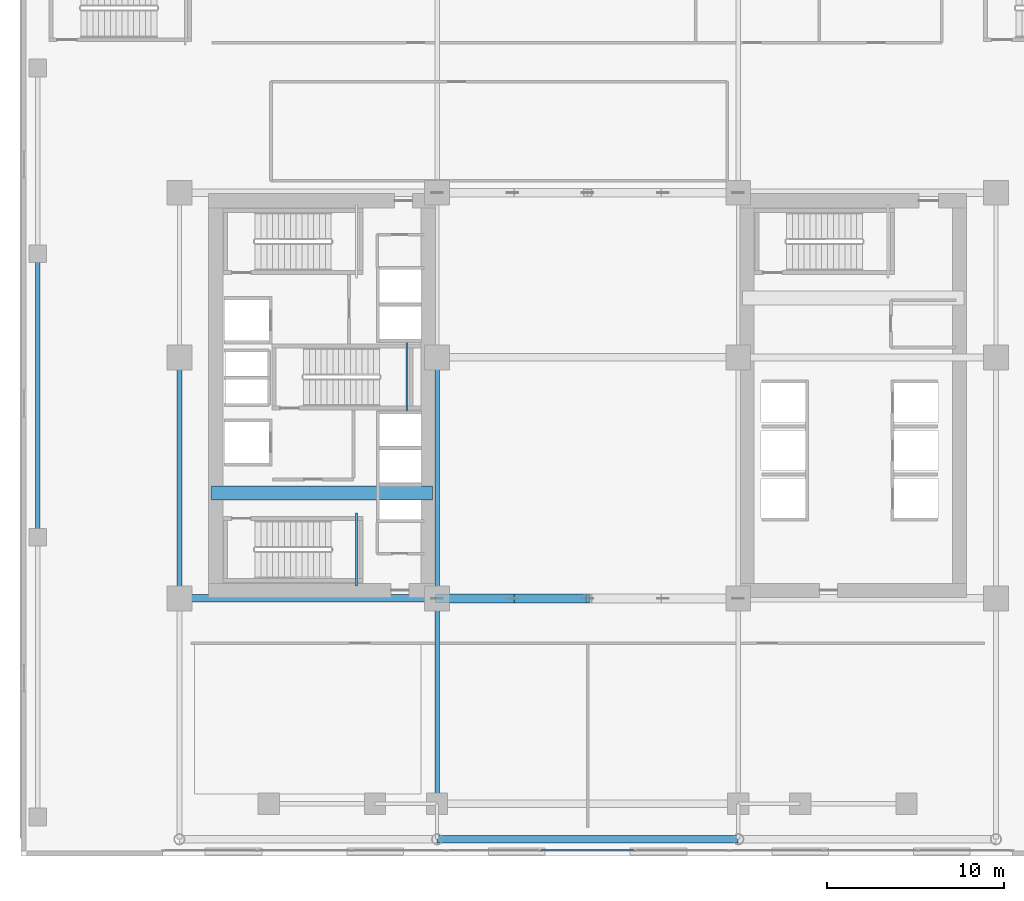
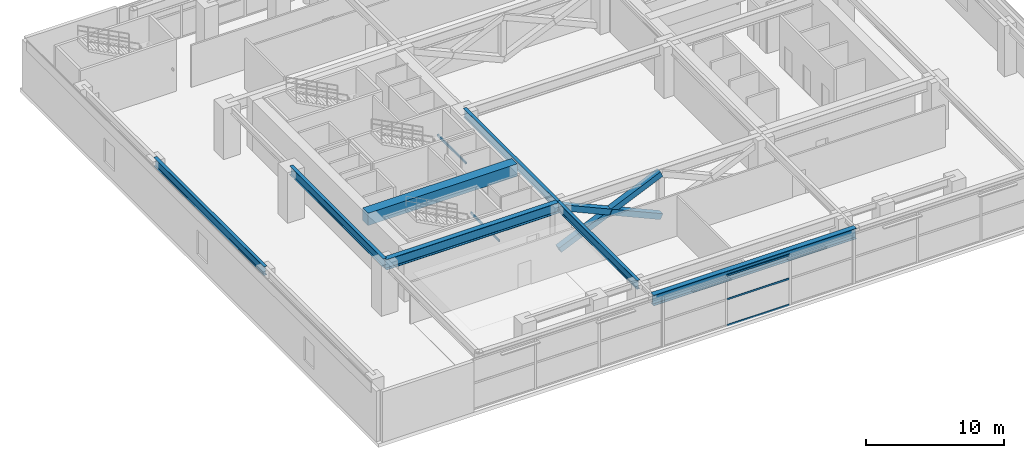
# One storey, part 6 of 28: 9 beams, 6 members, 1 element without a shape of its own.
"""IFC4 building model written with IfcOpenShell, lengths in metres."""

from ifc_helpers import new_model, si_unit, direction, frame, origin, origin_2d, place, context, subcontext, project, spatial, rectangle, hollow_rectangle, i_section, extrude, source, transform, mapped, material, layer, layer_set, material_profile, profile_set, type_object, element, aggregate, save


model = new_model("IFC4")

# Units and contexts
model_context = context("Model", 3, precision=1e-05, world=origin(), true_north=direction((0.0, 1.0)))
body_context = subcontext(model_context, "Body", "Model", "MODEL_VIEW")
ifc_project = project(units=[si_unit("LENGTHUNIT", "METRE"), si_unit("AREAUNIT", "SQUARE_METRE"), si_unit("VOLUMEUNIT", "CUBIC_METRE"), si_unit("PLANEANGLEUNIT", "RADIAN"), si_unit("MASSUNIT", "GRAM", prefix="KILO")], contexts=[model_context])

# Site, building, storey
site_placement = place(None, origin())
site = spatial("IfcSite", under=ifc_project, at=site_placement, CompositionType="ELEMENT")
building_placement = place(site_placement, origin())
building = spatial("IfcBuilding", under=site, at=building_placement, Name="Ocotamira Hotel", CompositionType="ELEMENT")
storey_placement = place(building_placement, frame((0.0, 0.0, 24.0)))
storey = spatial("IfcBuildingStorey", under=building, at=storey_placement, Name="L05", CompositionType="ELEMENT", Elevation=24.0)

# Beams
ifc_material_1 = material(Name="Concrete C60/75", Category="concrete")
ifc_material_profile_1 = material_profile(ifc_material_1, rectangle(XDim=0.800048828125, YDim=1.10009765625, at=origin_2d()), Name="RC800X1100")
ifc_profile_set_1 = profile_set([ifc_material_profile_1], Name="Concrete C60/75")
beam_type_1 = type_object("IfcBeamType", Name="BM-LINK-RC800", PredefinedType="LINTEL", material=ifc_profile_set_1)
shared_shape_1 = source(origin(), body_context, "Body", "SweptSolid", [
    extrude(rectangle(XDim=0.800048828125, YDim=1.10009765625, at=origin_2d()), origin(), (0.0, 0.0, 1.0), 12.5),
])
beam_1_placement = place(storey_placement, frame((10.75, 20.5, 3.929931640625), z_axis=(1.0, 0.0, 0.0), x_axis=(0.0, 1.0, 0.0)))
element("IfcBeam", 1, at=beam_1_placement, inside=storey, type_object=beam_type_1, Name="L05 West Core Coupling Beam", PredefinedType="LINTEL", context=body_context, shape_type="MappedRepresentation", body=[
    mapped(shared_shape_1, transform((0.0, 0.0, 0.0), scale=1.0)),
])
ifc_material_2 = material(Name="Steel ASTM A500 Grade C", Category="steel")
ifc_material_profile_2 = material_profile(ifc_material_2, hollow_rectangle(XDim=0.10009765625, YDim=0.199951171875, WallThickness=0.008056640625, at=origin_2d()), Name="HSS200X100X8")
ifc_profile_set_2 = profile_set([ifc_material_profile_2], Name="Steel ASTM A500 Grade C")
beam_type_2 = type_object("IfcBeamType", Name="BM-STLDG-HSS200", PredefinedType="BEAM", material=ifc_profile_set_2)
shared_shape_2 = source(origin(), body_context, "Body", "SweptSolid", [
    extrude(hollow_rectangle(XDim=0.10009765625, YDim=0.199951171875, WallThickness=0.008056640625, at=origin_2d()), origin(), (0.0, 0.0, 1.0), 4.1201171875),
])
for number, where, z_axis, x_axis, name in (
    (2, (18.949951171875, 15.25, 2.10009765625), (0.0, 1.0, 0.0), (-1.0, 0.0, 0.0), "L05 Stair ST-1 Landing Bearer 1"),
    (3, (21.780029296875, 24.97998046875, 2.10009765625), (0.0, 1.0, 0.0), (-1.0, 0.0, 0.0), "L05 Stair ST-3 Landing Bearer 1"),
):
    element("IfcBeam", number, at=place(storey_placement, frame(where, z_axis=z_axis, x_axis=x_axis)), inside=storey, type_object=beam_type_2, Name=name, PredefinedType="BEAM", context=body_context, shape_type="MappedRepresentation", body=[
        mapped(shared_shape_2, transform((0.0, 0.0, 0.0), scale=1.0)),
    ])
ifc_material_3 = material(Name="Steel ASTM A992 Grade 50", Category="steel")
ifc_material_profile_3 = material_profile(ifc_material_3, i_section(OverallWidth=0.41796875, OverallDepth=0.927001953125, WebThickness=0.019287109375, FlangeThickness=0.031982421875, FilletRadius=0.02392578125, at=origin_2d()), Name="W36X231")
ifc_profile_set_3 = profile_set([ifc_material_profile_3], Name="Steel ASTM A992 Grade 50")
beam_type_3 = type_object("IfcBeamType", Name="BM-GIRD-W36X231", PredefinedType="BEAM", material=ifc_profile_set_3)
shared_shape_3 = source(origin(), body_context, "Body", "SweptSolid", [
    extrude(i_section(OverallWidth=0.41796875, OverallDepth=0.927001953125, WebThickness=0.019287109375, FlangeThickness=0.031982421875, FilletRadius=0.02392578125, at=origin_2d()), origin(), (0.0, 0.0, 1.0), 14.550048828125),
])
beam_2_placement = place(storey_placement, frame((8.949951171875, 14.550048828125, 4.0166015625), z_axis=(1.0, 0.0, 0.0), x_axis=(0.0, 1.0, 0.0)))
element("IfcBeam", 4, at=beam_2_placement, inside=storey, type_object=beam_type_3, Name="L05 Girder Y14.55 X8.95-23.5", PredefinedType="BEAM", context=body_context, shape_type="MappedRepresentation", body=[
    mapped(shared_shape_3, transform((0.0, 0.0, 0.0), scale=1.0)),
])
ifc_material_profile_4 = material_profile(ifc_material_3, i_section(OverallWidth=0.26611328125, OverallDepth=0.779052734375, WebThickness=0.0166015625, FlangeThickness=0.030029296875, FilletRadius=0.01806640625, at=origin_2d()), Name="W30X148")
ifc_profile_set_4 = profile_set([ifc_material_profile_4], Name="Steel ASTM A992 Grade 50")
beam_type_4 = type_object("IfcBeamType", Name="BM-GIRD-W30X148", PredefinedType="BEAM", material=ifc_profile_set_4)
shared_shape_4 = source(origin(), body_context, "Body", "SweptSolid", [
    extrude(i_section(OverallWidth=0.26611328125, OverallDepth=0.779052734375, WebThickness=0.0166015625, FlangeThickness=0.030029296875, FilletRadius=0.01806640625, at=origin_2d()), origin(), (0.0, 0.0, 1.0), 16.0),
])
beam_3_placement = place(storey_placement, frame((0.949951171875, 18.0, 4.090576171875), z_axis=(0.0, 1.0, 0.0), x_axis=(-1.0, 0.0, 0.0)))
element("IfcBeam", 5, at=beam_3_placement, inside=storey, type_object=beam_type_4, Name="L05 Beam X0.95 Y18-34", PredefinedType="BEAM", context=body_context, shape_type="MappedRepresentation", body=[
    mapped(shared_shape_4, transform((0.0, 0.0, 0.0), scale=1.0)),
])
shared_shape_5 = source(origin(), body_context, "Body", "SweptSolid", [
    extrude(i_section(OverallWidth=0.26611328125, OverallDepth=0.779052734375, WebThickness=0.0166015625, FlangeThickness=0.030029296875, FilletRadius=0.01806640625, at=origin_2d()), origin(), (0.0, 0.0, 1.0), 13.599853515625),
])
for number, where, z_axis, x_axis, name in (
    (6, (8.949951171875, 14.550048828125, 4.090576171875), (0.0, 1.0, 0.0), (-1.0, 0.0, 0.0), "L05 Beam X8.95 Y14.55-28.15"),
    (7, (23.5, 14.550048828125, 4.090576171875), (0.0, 1.0, 0.0), (-1.0, 0.0, 0.0), "L05 Beam X23.5 Y14.55-28.15"),
):
    element("IfcBeam", number, at=place(storey_placement, frame(where, z_axis=z_axis, x_axis=x_axis)), inside=storey, type_object=beam_type_4, Name=name, PredefinedType="BEAM", context=body_context, shape_type="MappedRepresentation", body=[
        mapped(shared_shape_5, transform((0.0, 0.0, 0.0), scale=1.0)),
    ])
shared_shape_6 = source(origin(), body_context, "Body", "SweptSolid", [
    extrude(i_section(OverallWidth=0.26611328125, OverallDepth=0.779052734375, WebThickness=0.0166015625, FlangeThickness=0.030029296875, FilletRadius=0.01806640625, at=origin_2d()), origin(), (0.0, 0.0, 1.0), 11.60009765625),
])
beam_4_placement = place(storey_placement, frame((23.5, 2.949951171875, 4.090576171875), z_axis=(0.0, 1.0, 0.0), x_axis=(-1.0, 0.0, 0.0)))
element("IfcBeam", 8, at=beam_4_placement, inside=storey, type_object=beam_type_4, Name="L05 Beam X23.5 Y2.95-14.55", PredefinedType="BEAM", context=body_context, shape_type="MappedRepresentation", body=[
    mapped(shared_shape_6, transform((0.0, 0.0, 0.0), scale=1.0)),
])
ifc_material_4 = material(Name="Steel ASTM A913 Grade 65", Category="steel")
ifc_material_profile_5 = material_profile(ifc_material_4, i_section(OverallWidth=0.423095703125, OverallDepth=0.947998046875, WebThickness=0.02392578125, FlangeThickness=0.042724609375, FilletRadius=0.02392578125, at=origin_2d()), Name="W36X302")
ifc_profile_set_5 = profile_set([ifc_material_profile_5], Name="Steel ASTM A913 Grade 65")
beam_type_5 = type_object("IfcBeamType", Name="BM-TRUSS-W36X302", PredefinedType="BEAM", material=ifc_profile_set_5)
shared_shape_7 = source(origin(), body_context, "Body", "SweptSolid", [
    extrude(i_section(OverallWidth=0.423095703125, OverallDepth=0.947998046875, WebThickness=0.02392578125, FlangeThickness=0.042724609375, FilletRadius=0.02392578125, at=origin_2d()), origin(), (0.0, 0.0, 1.0), 17.0),
])
beam_5_placement = place(storey_placement, frame((23.5, 0.949951171875, 4.006103515625), z_axis=(1.0, 0.0, 0.0), x_axis=(0.0, 1.0, 0.0)))
element("IfcBeam", 9, at=beam_5_placement, inside=storey, type_object=beam_type_5, Name="L05 Girder Y0.95 X23.5-40.5", PredefinedType="BEAM", context=body_context, shape_type="MappedRepresentation", body=[
    mapped(shared_shape_7, transform((0.0, 0.0, 0.0), scale=1.0)),
])

# Members
ifc_material_profile_6 = material_profile(ifc_material_4, hollow_rectangle(XDim=0.5, YDim=0.5, WallThickness=0.02001953125, at=origin_2d()), Name="HSS500X500X20")
ifc_profile_set_6 = profile_set([ifc_material_profile_6], Name="Steel ASTM A913 Grade 65")
member_type_1 = type_object("IfcMemberType", Name="MEM-OUT-HSS500", PredefinedType="BRACE", material=ifc_profile_set_6)
shared_shape_8 = source(origin(), body_context, "Body", "SweptSolid", [
    extrude(hollow_rectangle(XDim=0.5, YDim=0.5, WallThickness=0.02001953125, at=origin_2d()), origin(), (0.0, 0.0, 1.0), 9.302734375),
])
member_1_placement = place(storey_placement, frame((23.5, 14.550048828125, 0.25), z_axis=(0.913721700404, 0.0, 0.40634056432), x_axis=(0.0, 1.0, 0.0)))
element("IfcMember", 10, at=member_1_placement, inside=storey, type_object=member_type_1, Name="L05 Portal Transfer Truss Diagonal Y14.55-1", PredefinedType="BRACE", context=body_context, shape_type="MappedRepresentation", body=[
    mapped(shared_shape_8, transform((0.0, 0.0, 0.0), scale=1.0)),
])
shared_shape_9 = source(origin(), body_context, "Body", "SweptSolid", [
    extrude(hollow_rectangle(XDim=0.5, YDim=0.5, WallThickness=0.02001953125, at=origin_2d()), origin(), (0.0, 0.0, 1.0), 4.63134765625),
])
for number, where, z_axis, x_axis, name in (
    (11, (23.5, 14.550048828125, 4.030029296875), (0.913724573626, 0.0, -0.406334103358), (0.0, 1.0, 0.0), "L05 Portal Transfer Truss Diagonal Y14.55-3 Lower Half"),
    (12, (27.768310546875, 14.550048828125, 2.1318359375), (0.913724573626, 0.0, -0.406334103358), (0.0, 1.0, 0.0), "L05 Portal Transfer Truss Diagonal Y14.55-3 Upper Half"),
):
    element("IfcMember", number, at=place(storey_placement, frame(where, z_axis=z_axis, x_axis=x_axis)), inside=storey, type_object=member_type_1, Name=name, PredefinedType="BRACE", context=body_context, shape_type="MappedRepresentation", body=[
        mapped(shared_shape_9, transform((0.0, 0.0, 0.0), scale=1.0)),
    ])

# Curtain wall, members
ifc_material_5 = material(Name="Anodised pale-metal aluminium and solar glass", Category="aluminium")
ifc_layer = layer(ifc_material_5, 0.219970703125)
ifc_layer_set = layer_set([ifc_layer], Name="Anodised pale-metal aluminium and solar glass")
curtain_wall_type = type_object("IfcCurtainWallType", Name="CW-SYS1-POD", PredefinedType="NOTDEFINED", material=ifc_layer_set)
curtain_wall_placement = place(storey_placement, origin())
curtain_wall = element("IfcCurtainWall", 13, at=curtain_wall_placement, inside=storey, type_object=curtain_wall_type, Name="L05 Curtain Wall CW-1 CW-L05-S2", PredefinedType="NOTDEFINED")
ifc_material_6 = material(Name="Anodised pale-metal aluminium 6063-T6", Category="aluminium")
ifc_material_profile_7 = material_profile(ifc_material_6, hollow_rectangle(XDim=0.074951171875, YDim=0.14990234375, WallThickness=0.006103515625, at=origin_2d()), Name="HSS150X75X6")
ifc_profile_set_7 = profile_set([ifc_material_profile_7], Name="Anodised pale-metal aluminium 6063-T6")
member_type_2 = type_object("IfcMemberType", Name="CWT-150X75", PredefinedType="USERDEFINED", material=ifc_profile_set_7)
shared_shape_10 = source(origin(), body_context, "Body", "SweptSolid", [
    extrude(hollow_rectangle(XDim=0.074951171875, YDim=0.14990234375, WallThickness=0.006103515625, at=origin_2d()), origin(), (0.0, 0.0, 1.0), 5.25341796875),
])
member_2_placement = place(storey_placement, frame((29.373291015625, 0.320068359375, 0.03759765625), z_axis=(1.0, 0.0, 0.0), x_axis=(0.0, 1.0, 0.0)))
member_2 = element("IfcMember", 14, at=member_2_placement, type_object=member_type_2, Name="CW-1 transom 2.1", ObjectType="TRANSOM", PredefinedType="USERDEFINED", context=body_context, shape_type="MappedRepresentation", body=[
    mapped(shared_shape_10, transform((0.0, 0.0, 0.0), scale=1.0)),
])
member_3_placement = place(storey_placement, frame((29.373291015625, 0.320068359375, 2.35009765625), z_axis=(1.0, 0.0, 0.0), x_axis=(0.0, 1.0, 0.0)))
member_3 = element("IfcMember", 15, at=member_3_placement, type_object=member_type_2, Name="CW-1 transom 2.2", ObjectType="TRANSOM", PredefinedType="USERDEFINED", context=body_context, shape_type="MappedRepresentation", body=[
    mapped(shared_shape_10, transform((0.0, 0.0, 0.0), scale=1.0)),
])
member_4_placement = place(storey_placement, frame((29.373291015625, 0.320068359375, 4.4423828125), z_axis=(1.0, 0.0, 0.0), x_axis=(0.0, 1.0, 0.0)))
member_4 = element("IfcMember", 16, at=member_4_placement, type_object=member_type_2, Name="CW-1 transom 2.3", ObjectType="TRANSOM", PredefinedType="USERDEFINED", context=body_context, shape_type="MappedRepresentation", body=[
    mapped(shared_shape_10, transform((0.0, 0.0, 0.0), scale=1.0)),
])
aggregate(curtain_wall, [member_2, member_3, member_4])

save(model, "model.ifc")
